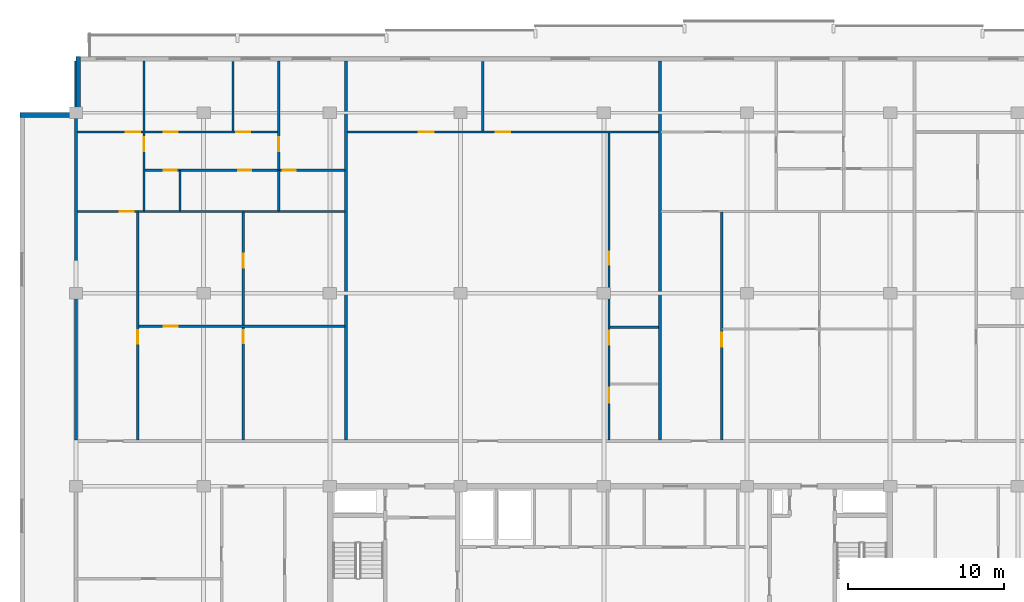
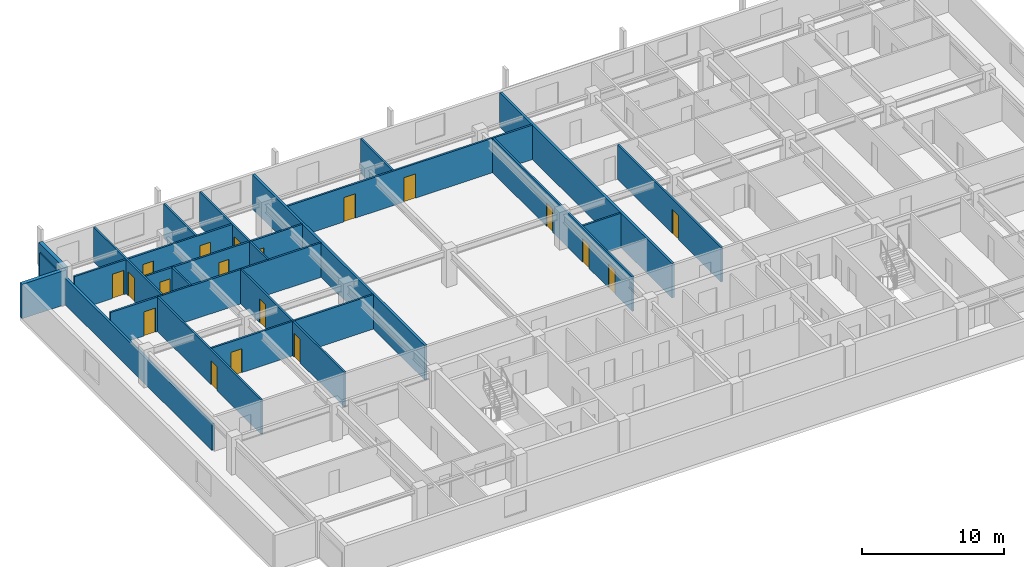
# One storey, part 7 of 11: 21 walls, 19 doors, 19 openings.
"""IFC4 building model written with IfcOpenShell, lengths in metres."""

from ifc_helpers import new_model, si_unit, direction, frame, frame_2d, origin, place, context, subcontext, project, spatial, rectangle, extrude, material, layer, layer_set, type_object, element, fill, save


model = new_model("IFC4")

# Units and contexts
model_context = context("Model", 3, precision=1e-05, world=origin(), true_north=direction((0.0, 1.0)))
body_context = subcontext(model_context, "Body", "Model", "MODEL_VIEW")
ifc_project = project(units=[si_unit("LENGTHUNIT", "METRE"), si_unit("AREAUNIT", "SQUARE_METRE"), si_unit("VOLUMEUNIT", "CUBIC_METRE"), si_unit("PLANEANGLEUNIT", "RADIAN"), si_unit("MASSUNIT", "GRAM", prefix="KILO")], contexts=[model_context])

# Site, building, storey
site_placement = place(None, origin())
site = spatial("IfcSite", under=ifc_project, at=site_placement, CompositionType="ELEMENT")
building_placement = place(site_placement, origin())
building = spatial("IfcBuilding", under=site, at=building_placement, Name="Korimba Cascade Residences", CompositionType="ELEMENT")
storey_placement = place(building_placement, frame((0.0, 0.0, 220.60009765625)))
storey = spatial("IfcBuildingStorey", under=building, at=storey_placement, Name="L64", CompositionType="ELEMENT", Elevation=220.60009765625)

# Walls
ifc_material_1 = material(Name="Precast concrete C40/50", Category="concrete")
ifc_layer_1 = layer(ifc_material_1, 0.300048828125)
ifc_layer_set_1 = layer_set([ifc_layer_1], Name="Precast concrete C40/50")
wall_type_1 = type_object("IfcWallType", Name="EW-STONE-300", PredefinedType="STANDARD", material=ifc_layer_set_1)
for number, where, z_axis, x_axis, name in (
    (1, (59.949951171875, 94.800048828125, 0.0), (0.0, 0.0, 1.0), (0.0, -1.0, 0.0), "L64 T1 Perimeter Stone Wall E07"),
    (2, (59.800048828125, 91.050048828125, 0.0), (0.0, 0.0, 1.0), (-1.0, 0.0, 0.0), "L64 T1 Perimeter Stone Wall E08"),
):
    element("IfcWall", number, at=place(storey_placement, frame(where, z_axis=z_axis, x_axis=x_axis)), inside=storey, type_object=wall_type_1, Name=name, PredefinedType="STANDARD", context=body_context, shape_type="SweptSolid", body=[
        extrude(rectangle(XDim=3.60009765625, YDim=0.300048828125, at=frame_2d((1.800048828125, 0.0))), origin(), (0.0, 0.0, 1.0), 2.969970703125),
    ])
ifc_layer_2 = layer(ifc_material_1, 0.199951171875)
ifc_layer_set_2 = layer_set([ifc_layer_2], Name="Precast concrete C40/50")
wall_type_2 = type_object("IfcWallType", Name="WAL-IT-200", PredefinedType="PARTITIONING", material=ifc_layer_set_2)
wall_1_placement = place(storey_placement, frame((59.800048828125, 70.179931640625, 0.0), z_axis=(0.0, 0.0, 1.0), x_axis=(0.0, 1.0, 0.0)))
element("IfcWall", 3, at=wall_1_placement, inside=storey, type_object=wall_type_2, Name="L64 Partition Wall WAL-L64-T1-BNDWL", PredefinedType="PARTITIONING", context=body_context, shape_type="SweptSolid", body=[
    extrude(rectangle(XDim=24.320068359375, YDim=0.199951171875, at=frame_2d((12.16015625, 0.0))), origin(), (0.0, 0.0, 1.0), 2.277099609375),
])
for number, where, z_axis, x_axis, name in (
    (4, (77.145751953125, 70.179931640625, 0.0), (0.0, 0.0, 1.0), (0.0, 1.0, 0.0), "L64 Partition Wall WAL-L64-T1-DEM-1"),
    (5, (97.3046875, 70.179931640625, 0.0), (0.0, 0.0, 1.0), (0.0, 1.0, 0.0), "L64 Partition Wall WAL-L64-T1-DEM-2"),
):
    element("IfcWall", number, at=place(storey_placement, frame(where, z_axis=z_axis, x_axis=x_axis)), inside=storey, type_object=wall_type_2, Name=name, PredefinedType="PARTITIONING", context=body_context, shape_type="SweptSolid", body=[
        extrude(rectangle(XDim=24.320068359375, YDim=0.199951171875, at=frame_2d((12.16015625, 0.0))), origin(), (0.0, 0.0, 1.0), 2.969970703125),
    ])

# Wall, openings, doors
ifc_material_2 = material(Name="Insulated Acoustic Stud Partition", Category="gypsum")
ifc_layer_3 = layer(ifc_material_2, 0.14990234375)
ifc_layer_set_3 = layer_set([ifc_layer_3], Name="Insulated Acoustic Stud Partition")
wall_type_3 = type_object("IfcWallType", Name="WAL-PART-150", PredefinedType="PARTITIONING", material=ifc_layer_set_3)
wall_2_placement = place(storey_placement, frame((70.5478515625, 70.159912109375, 0.0), z_axis=(0.0, 0.0, 1.0), x_axis=(0.0, 1.0, 0.0)))
wall_2 = element("IfcWall", 6, at=wall_2_placement, inside=storey, type_object=wall_type_3, Name="L64 Partition Wall WAL-L64-T1-U01-FMV", PredefinedType="PARTITIONING", context=body_context, shape_type="SweptSolid", body=[
    extrude(rectangle(XDim=14.650146484375, YDim=0.14990234375, at=frame_2d((7.3251953125, 0.0))), origin(), (0.0, 0.0, 1.0), 2.969970703125),
])
opening_1_placement = place(wall_2_placement, frame((6.235107421875, 0.0, 0.0)))
opening_1 = element("IfcOpeningElement", 7, at=opening_1_placement, cuts=wall_2, Name="Opening D-BT1", PredefinedType="OPENING", context=body_context, shape_type="SweptSolid", body=[
    extrude(rectangle(XDim=0.840087890625, YDim=2.0400390625, at=frame_2d((0.419921875, 1.02001953125))), frame((0.0, 0.0849609375, 0.0), z_axis=(0.0, -1.0, 0.0), x_axis=(1.0, 0.0, 0.0)), (0.0, 0.0, 1.0), 0.169921875),
])
opening_2_placement = place(wall_2_placement, frame((11.08203125, 0.0, 0.0)))
opening_2 = element("IfcOpeningElement", 8, at=opening_2_placement, cuts=wall_2, Name="Opening D-IN2", PredefinedType="OPENING", context=body_context, shape_type="SweptSolid", body=[
    extrude(rectangle(XDim=0.8798828125, YDim=2.06005859375, at=frame_2d((0.43994140625, 1.030029296875))), frame((0.0, 0.0849609375, 0.0), z_axis=(0.0, -1.0, 0.0), x_axis=(1.0, 0.0, 0.0)), (0.0, 0.0, 1.0), 0.169921875),
])
ifc_material_3 = material(Name="Moisture-Resistant Bathroom Timber Door", Category="wood")
door_type_1 = type_object("IfcDoorType", Name="DR-INT-850", OperationType="NOTDEFINED", PredefinedType="DOOR", material=ifc_material_3)
door_1_placement = place(opening_1_placement, origin())
door_1 = element("IfcDoor", 9, at=door_1_placement, inside=storey, type_object=door_type_1, Name="L64-T1-U01 Wardrobe Door", OperationType="SINGLE_SWING_LEFT", OverallHeight=2.0400390625, OverallWidth=0.840087890625, PredefinedType="DOOR", context=body_context, shape_type="SweptSolid", body=[
    extrude(rectangle(XDim=0.840087890625, YDim=2.0400390625, at=frame_2d((0.419921875, 1.02001953125))), frame((0.0, 0.02490234375, 0.0), z_axis=(0.0, -1.0, 0.0), x_axis=(1.0, 0.0, 0.0)), (0.0, 0.0, 1.0), 0.050048828125),
])
fill(opening_1, door_1)
ifc_material_4 = material(Name="Acoustic Timber Bedroom Door", Category="wood")
door_type_2 = type_object("IfcDoorType", Name="DR-INT-880", OperationType="NOTDEFINED", PredefinedType="DOOR", material=ifc_material_4)
door_2_placement = place(opening_2_placement, origin())
door_2 = element("IfcDoor", 10, at=door_2_placement, inside=storey, type_object=door_type_2, Name="L64-T1-U01 Music Lounge Door", OperationType="SINGLE_SWING_RIGHT", OverallHeight=2.06005859375, OverallWidth=0.8798828125, PredefinedType="DOOR", context=body_context, shape_type="SweptSolid", body=[
    extrude(rectangle(XDim=0.8798828125, YDim=2.06005859375, at=frame_2d((0.43994140625, 1.030029296875))), frame((0.0, 0.02490234375, 0.0), z_axis=(0.0, -1.0, 0.0), x_axis=(1.0, 0.0, 0.0)), (0.0, 0.0, 1.0), 0.050048828125),
])
fill(opening_2, door_2)

# Wall, opening, door
wall_3_placement = place(storey_placement, frame((63.830078125, 77.485107421875, 0.0), z_axis=(0.0, 0.0, 1.0), x_axis=(1.0, 0.0, 0.0)))
wall_3 = element("IfcWall", 11, at=wall_3_placement, inside=storey, type_object=wall_type_3, Name="L64 Partition Wall WAL-L64-T1-U01-FMH", PredefinedType="PARTITIONING", context=body_context, shape_type="SweptSolid", body=[
    extrude(rectangle(XDim=13.235595703125, YDim=0.14990234375, at=frame_2d((6.61767578125, 0.0))), origin(), (0.0, 0.0, 1.0), 2.969970703125),
])
opening_3_placement = place(wall_3_placement, frame((1.6142578125, 0.0, 0.0)))
opening_3 = element("IfcOpeningElement", 12, at=opening_3_placement, cuts=wall_3, Name="Opening D-IN2", PredefinedType="OPENING", context=body_context, shape_type="SweptSolid", body=[
    extrude(rectangle(XDim=0.8798828125, YDim=2.06005859375, at=frame_2d((0.43994140625, 1.030029296875))), frame((0.0, 0.0849609375, 0.0), z_axis=(0.0, -1.0, 0.0), x_axis=(1.0, 0.0, 0.0)), (0.0, 0.0, 1.0), 0.169921875),
])
door_3_placement = place(opening_3_placement, origin())
door_3 = element("IfcDoor", 13, at=door_3_placement, inside=storey, type_object=door_type_2, Name="L64-T1-U01 Library Salon Door", OperationType="SINGLE_SWING_LEFT", OverallHeight=2.06005859375, OverallWidth=0.8798828125, PredefinedType="DOOR", context=body_context, shape_type="SweptSolid", body=[
    extrude(rectangle(XDim=0.8798828125, YDim=2.06005859375, at=frame_2d((0.43994140625, 1.030029296875))), frame((0.0, 0.02490234375, 0.0), z_axis=(0.0, -1.0, 0.0), x_axis=(1.0, 0.0, 0.0)), (0.0, 0.0, 1.0), 0.050048828125),
])
fill(opening_3, door_3)

wall_4_placement = place(storey_placement, frame((63.77001953125, 70.159912109375, 0.0), z_axis=(0.0, 0.0, 1.0), x_axis=(0.0, 1.0, 0.0)))
wall_4 = element("IfcWall", 14, at=wall_4_placement, inside=storey, type_object=wall_type_3, Name="L64 Partition Wall WAL-L64-T1-U01-FV", PredefinedType="PARTITIONING", context=body_context, shape_type="SweptSolid", body=[
    extrude(rectangle(XDim=14.650146484375, YDim=0.14990234375, at=frame_2d((7.3251953125, 0.0))), origin(), (0.0, 0.0, 1.0), 2.969970703125),
])
opening_4_placement = place(wall_4_placement, frame((6.195068359375, 0.0, 0.0)))
opening_4 = element("IfcOpeningElement", 15, at=opening_4_placement, cuts=wall_4, Name="Opening D-IN2", PredefinedType="OPENING", context=body_context, shape_type="SweptSolid", body=[
    extrude(rectangle(XDim=0.8798828125, YDim=2.06005859375, at=frame_2d((0.43994140625, 1.030029296875))), frame((0.0, 0.0849609375, 0.0), z_axis=(0.0, -1.0, 0.0), x_axis=(1.0, 0.0, 0.0)), (0.0, 0.0, 1.0), 0.169921875),
])
door_4_placement = place(opening_4_placement, origin())
door_4 = element("IfcDoor", 16, at=door_4_placement, inside=storey, type_object=door_type_2, Name="L64-T1-U01 Media Lounge Door", OperationType="SINGLE_SWING_RIGHT", OverallHeight=2.06005859375, OverallWidth=0.8798828125, PredefinedType="DOOR", context=body_context, shape_type="SweptSolid", body=[
    extrude(rectangle(XDim=0.8798828125, YDim=2.06005859375, at=frame_2d((0.43994140625, 1.030029296875))), frame((0.0, 0.02490234375, 0.0), z_axis=(0.0, -1.0, 0.0), x_axis=(1.0, 0.0, 0.0)), (0.0, 0.0, 1.0), 0.050048828125),
])
fill(opening_4, door_4)

# Walls
wall_5_placement = place(storey_placement, frame((66.47998046875, 84.889892578125, 0.0), z_axis=(0.0, 0.0, 1.0), x_axis=(0.0, 1.0, 0.0)))
element("IfcWall", 17, at=wall_5_placement, inside=storey, type_object=wall_type_3, Name="L64 Partition Wall WAL-L64-T1-U01-VDRS", PredefinedType="PARTITIONING", context=body_context, shape_type="SweptSolid", body=[
    extrude(rectangle(XDim=2.580078125, YDim=0.14990234375, at=frame_2d((1.2900390625, 0.0))), origin(), (0.0, 0.0, 1.0), 2.969970703125),
])
wall_6_placement = place(storey_placement, frame((69.8798828125, 90.030029296875, 0.0), z_axis=(0.0, 0.0, 1.0), x_axis=(0.0, 1.0, 0.0)))
element("IfcWall", 18, at=wall_6_placement, inside=storey, type_object=wall_type_3, Name="L64 Partition Wall WAL-L64-T1-U01-VSTD", PredefinedType="PARTITIONING", context=body_context, shape_type="SweptSolid", body=[
    extrude(rectangle(XDim=4.469970703125, YDim=0.14990234375, at=frame_2d((2.23486328125, 0.0))), origin(), (0.0, 0.0, 1.0), 2.969970703125),
])

# Wall, opening, door
wall_7_placement = place(storey_placement, frame((64.169921875, 84.889892578125, 0.0), z_axis=(0.0, 0.0, 1.0), x_axis=(0.0, 1.0, 0.0)))
wall_7 = element("IfcWall", 19, at=wall_7_placement, inside=storey, type_object=wall_type_3, Name="L64 Partition Wall WAL-L64-T1-U01-V1", PredefinedType="PARTITIONING", context=body_context, shape_type="SweptSolid", body=[
    extrude(rectangle(XDim=9.610107421875, YDim=0.14990234375, at=frame_2d((4.80517578125, 0.0))), origin(), (0.0, 0.0, 1.0), 2.969970703125),
])
opening_5_placement = place(wall_7_placement, frame((3.820068359375, 0.0, 0.0)))
opening_5 = element("IfcOpeningElement", 20, at=opening_5_placement, cuts=wall_7, Name="Opening D-IN1", PredefinedType="OPENING", context=body_context, shape_type="SweptSolid", body=[
    extrude(rectangle(XDim=0.919921875, YDim=2.080078125, at=frame_2d((0.4599609375, 1.0400390625))), frame((0.0, 0.0849609375, 0.0), z_axis=(0.0, -1.0, 0.0), x_axis=(1.0, 0.0, 0.0)), (0.0, 0.0, 1.0), 0.169921875),
])
ifc_material_5 = material(Name="Acoustic Timber Living Door", Category="wood")
door_type_3 = type_object("IfcDoorType", Name="DR-INT-920", OperationType="NOTDEFINED", PredefinedType="DOOR", material=ifc_material_5)
door_5_placement = place(opening_5_placement, origin())
door_5 = element("IfcDoor", 21, at=door_5_placement, inside=storey, type_object=door_type_3, Name="L64-T1-U01 Hallway Door", OperationType="SINGLE_SWING_LEFT", OverallHeight=2.080078125, OverallWidth=0.919921875, PredefinedType="DOOR", context=body_context, shape_type="SweptSolid", body=[
    extrude(rectangle(XDim=0.919921875, YDim=2.080078125, at=frame_2d((0.4599609375, 1.0400390625))), frame((0.0, 0.02490234375, 0.0), z_axis=(0.0, -1.0, 0.0), x_axis=(1.0, 0.0, 0.0)), (0.0, 0.0, 1.0), 0.050048828125),
])
fill(opening_5, door_5)

# Wall
wall_8_placement = place(storey_placement, frame((72.815673828125, 84.889892578125, 0.0), z_axis=(0.0, 0.0, 1.0), x_axis=(0.0, 1.0, 0.0)))
element("IfcWall", 22, at=wall_8_placement, inside=storey, type_object=wall_type_3, Name="L64 Partition Wall WAL-L64-T1-U01-VBATH", PredefinedType="PARTITIONING", context=body_context, shape_type="SweptSolid", body=[
    extrude(rectangle(XDim=2.580078125, YDim=0.14990234375, at=frame_2d((1.2900390625, 0.0))), origin(), (0.0, 0.0, 1.0), 2.969970703125),
])

# Wall, opening, door
wall_9_placement = place(storey_placement, frame((72.815673828125, 87.510009765625, 0.0), z_axis=(0.0, 0.0, 1.0), x_axis=(0.0, 1.0, 0.0)))
wall_9 = element("IfcWall", 23, at=wall_9_placement, inside=storey, type_object=wall_type_3, Name="L64 Partition Wall WAL-L64-T1-U01-V2FULL", PredefinedType="PARTITIONING", context=body_context, shape_type="SweptSolid", body=[
    extrude(rectangle(XDim=6.989990234375, YDim=0.14990234375, at=frame_2d((3.4951171875, 0.0))), origin(), (0.0, 0.0, 1.0), 2.969970703125),
])
opening_6_placement = place(wall_9_placement, frame((1.199951171875, 0.0, 0.0)))
opening_6 = element("IfcOpeningElement", 24, at=opening_6_placement, cuts=wall_9, Name="Opening D-IN1", PredefinedType="OPENING", context=body_context, shape_type="SweptSolid", body=[
    extrude(rectangle(XDim=0.919921875, YDim=2.080078125, at=frame_2d((0.4599609375, 1.0400390625))), frame((0.0, 0.0849609375, 0.0), z_axis=(0.0, -1.0, 0.0), x_axis=(1.0, 0.0, 0.0)), (0.0, 0.0, 1.0), 0.169921875),
])
door_6_placement = place(opening_6_placement, origin())
door_6 = element("IfcDoor", 25, at=door_6_placement, inside=storey, type_object=door_type_3, Name="L64-T1-U01 Master Bedroom Door", OperationType="SINGLE_SWING_RIGHT", OverallHeight=2.080078125, OverallWidth=0.919921875, PredefinedType="DOOR", context=body_context, shape_type="SweptSolid", body=[
    extrude(rectangle(XDim=0.919921875, YDim=2.080078125, at=frame_2d((0.4599609375, 1.0400390625))), frame((0.0, 0.02490234375, 0.0), z_axis=(0.0, -1.0, 0.0), x_axis=(1.0, 0.0, 0.0)), (0.0, 0.0, 1.0), 0.050048828125),
])
fill(opening_6, door_6)

# Wall, openings, doors
wall_10_placement = place(storey_placement, frame((64.2099609375, 87.489990234375, 0.0), z_axis=(0.0, 0.0, 1.0), x_axis=(1.0, 0.0, 0.0)))
wall_10 = element("IfcWall", 26, at=wall_10_placement, inside=storey, type_object=wall_type_3, Name="L64 Partition Wall WAL-L64-T1-U01-HWALL", PredefinedType="PARTITIONING", context=body_context, shape_type="SweptSolid", body=[
    extrude(rectangle(XDim=12.855712890625, YDim=0.14990234375, at=frame_2d((6.427734375, 0.0))), origin(), (0.0, 0.0, 1.0), 2.969970703125),
])
opening_7_placement = place(wall_10_placement, frame((1.2099609375, 0.0, 0.0)))
opening_7 = element("IfcOpeningElement", 27, at=opening_7_placement, cuts=wall_10, Name="Opening D-BT1", PredefinedType="OPENING", context=body_context, shape_type="SweptSolid", body=[
    extrude(rectangle(XDim=0.840087890625, YDim=2.0400390625, at=frame_2d((0.419921875, 1.02001953125))), frame((0.0, 0.0849609375, 0.0), z_axis=(0.0, -1.0, 0.0), x_axis=(1.0, 0.0, 0.0)), (0.0, 0.0, 1.0), 0.169921875),
])
opening_8_placement = place(wall_10_placement, frame((6.0078125, 0.0, 0.0)))
opening_8 = element("IfcOpeningElement", 28, at=opening_8_placement, cuts=wall_10, Name="Opening D-BT1", PredefinedType="OPENING", context=body_context, shape_type="SweptSolid", body=[
    extrude(rectangle(XDim=0.840087890625, YDim=2.0400390625, at=frame_2d((0.419921875, 1.02001953125))), frame((0.0, 0.0849609375, 0.0), z_axis=(0.0, -1.0, 0.0), x_axis=(1.0, 0.0, 0.0)), (0.0, 0.0, 1.0), 0.169921875),
])
opening_9_placement = place(wall_10_placement, frame((8.855712890625, 0.0, 0.0)))
opening_9 = element("IfcOpeningElement", 29, at=opening_9_placement, cuts=wall_10, Name="Opening D-BT1", PredefinedType="OPENING", context=body_context, shape_type="SweptSolid", body=[
    extrude(rectangle(XDim=0.840087890625, YDim=2.0400390625, at=frame_2d((0.419921875, 1.02001953125))), frame((0.0, 0.0849609375, 0.0), z_axis=(0.0, -1.0, 0.0), x_axis=(1.0, 0.0, 0.0)), (0.0, 0.0, 1.0), 0.169921875),
])
door_7_placement = place(opening_7_placement, origin())
door_7 = element("IfcDoor", 30, at=door_7_placement, inside=storey, type_object=door_type_1, Name="L64-T1-U01 Family Bathroom Door", OperationType="SINGLE_SWING_LEFT", OverallHeight=2.0400390625, OverallWidth=0.840087890625, PredefinedType="DOOR", context=body_context, shape_type="SweptSolid", body=[
    extrude(rectangle(XDim=0.840087890625, YDim=2.0400390625, at=frame_2d((0.419921875, 1.02001953125))), frame((0.0, 0.02490234375, 0.0), z_axis=(0.0, -1.0, 0.0), x_axis=(1.0, 0.0, 0.0)), (0.0, 0.0, 1.0), 0.050048828125),
])
fill(opening_7, door_7)
door_8_placement = place(opening_8_placement, origin())
door_8 = element("IfcDoor", 31, at=door_8_placement, inside=storey, type_object=door_type_1, Name="L64-T1-U01 Dressing Room Door", OperationType="SINGLE_SWING_RIGHT", OverallHeight=2.0400390625, OverallWidth=0.840087890625, PredefinedType="DOOR", context=body_context, shape_type="SweptSolid", body=[
    extrude(rectangle(XDim=0.840087890625, YDim=2.0400390625, at=frame_2d((0.419921875, 1.02001953125))), frame((0.0, 0.02490234375, 0.0), z_axis=(0.0, -1.0, 0.0), x_axis=(1.0, 0.0, 0.0)), (0.0, 0.0, 1.0), 0.050048828125),
])
fill(opening_8, door_8)
door_9_placement = place(opening_9_placement, origin())
door_9 = element("IfcDoor", 32, at=door_9_placement, inside=storey, type_object=door_type_1, Name="L64-T1-U01 En-Suite Door", OperationType="SINGLE_SWING_LEFT", OverallHeight=2.0400390625, OverallWidth=0.840087890625, PredefinedType="DOOR", context=body_context, shape_type="SweptSolid", body=[
    extrude(rectangle(XDim=0.840087890625, YDim=2.0400390625, at=frame_2d((0.419921875, 1.02001953125))), frame((0.0, 0.02490234375, 0.0), z_axis=(0.0, -1.0, 0.0), x_axis=(1.0, 0.0, 0.0)), (0.0, 0.0, 1.0), 0.050048828125),
])
fill(opening_9, door_9)

# Wall, opening, door
wall_11_placement = place(storey_placement, frame((59.8798828125, 84.85009765625, 0.0), z_axis=(0.0, 0.0, 1.0), x_axis=(1.0, 0.0, 0.0)))
wall_11 = element("IfcWall", 33, at=wall_11_placement, inside=storey, type_object=wall_type_3, Name="L64 Partition Wall WAL-L64-T1-U01-MW", PredefinedType="PARTITIONING", context=body_context, shape_type="SweptSolid", body=[
    extrude(rectangle(XDim=17.185791015625, YDim=0.14990234375, at=frame_2d((8.5927734375, 0.0))), origin(), (0.0, 0.0, 1.0), 2.969970703125),
])
opening_10_placement = place(wall_11_placement, frame((2.719970703125, 0.0, 0.0)))
opening_10 = element("IfcOpeningElement", 34, at=opening_10_placement, cuts=wall_11, Name="Opening D-IN1", PredefinedType="OPENING", context=body_context, shape_type="SweptSolid", body=[
    extrude(rectangle(XDim=0.919921875, YDim=2.080078125, at=frame_2d((0.4599609375, 1.0400390625))), frame((0.0, 0.0849609375, 0.0), z_axis=(0.0, -1.0, 0.0), x_axis=(1.0, 0.0, 0.0)), (0.0, 0.0, 1.0), 0.169921875),
])
door_10_placement = place(opening_10_placement, origin())
door_10 = element("IfcDoor", 35, at=door_10_placement, inside=storey, type_object=door_type_3, Name="L64-T1-U01 Kitchen Door", OperationType="SINGLE_SWING_RIGHT", OverallHeight=2.080078125, OverallWidth=0.919921875, PredefinedType="DOOR", context=body_context, shape_type="SweptSolid", body=[
    extrude(rectangle(XDim=0.919921875, YDim=2.080078125, at=frame_2d((0.4599609375, 1.0400390625))), frame((0.0, 0.02490234375, 0.0), z_axis=(0.0, -1.0, 0.0), x_axis=(1.0, 0.0, 0.0)), (0.0, 0.0, 1.0), 0.050048828125),
])
fill(opening_10, door_10)

# Wall, openings, doors
wall_12_placement = place(storey_placement, frame((59.8798828125, 89.949951171875, 0.0), z_axis=(0.0, 0.0, 1.0), x_axis=(1.0, 0.0, 0.0)))
wall_12 = element("IfcWall", 36, at=wall_12_placement, inside=storey, type_object=wall_type_3, Name="L64 Partition Wall WAL-L64-T1-U01-HZ", PredefinedType="PARTITIONING", context=body_context, shape_type="SweptSolid", body=[
    extrude(rectangle(XDim=12.935791015625, YDim=0.14990234375, at=frame_2d((6.4677734375, 0.0))), origin(), (0.0, 0.0, 1.0), 2.969970703125),
])
opening_11_placement = place(wall_12_placement, frame((3.10009765625, 0.0, 0.0)))
opening_11 = element("IfcOpeningElement", 37, at=opening_11_placement, cuts=wall_12, Name="Opening D-IN0", PredefinedType="OPENING", context=body_context, shape_type="SweptSolid", body=[
    extrude(rectangle(XDim=0.93994140625, YDim=2.10009765625, at=frame_2d((0.469970703125, 1.050048828125))), frame((0.0, 0.0849609375, 0.0), z_axis=(0.0, -1.0, 0.0), x_axis=(1.0, 0.0, 0.0)), (0.0, 0.0, 1.0), 0.169921875),
])
opening_12_placement = place(wall_12_placement, frame((5.563720703125, 0.0, 0.0)))
opening_12 = element("IfcOpeningElement", 38, at=opening_12_placement, cuts=wall_12, Name="Opening D-IN2", PredefinedType="OPENING", context=body_context, shape_type="SweptSolid", body=[
    extrude(rectangle(XDim=0.8798828125, YDim=2.06005859375, at=frame_2d((0.43994140625, 1.030029296875))), frame((0.0, 0.0849609375, 0.0), z_axis=(0.0, -1.0, 0.0), x_axis=(1.0, 0.0, 0.0)), (0.0, 0.0, 1.0), 0.169921875),
])
opening_13_placement = place(wall_12_placement, frame((10.219970703125, 0.0, 0.0)))
opening_13 = element("IfcOpeningElement", 39, at=opening_13_placement, cuts=wall_12, Name="Opening D-IN2", PredefinedType="OPENING", context=body_context, shape_type="SweptSolid", body=[
    extrude(rectangle(XDim=0.8798828125, YDim=2.06005859375, at=frame_2d((0.43994140625, 1.030029296875))), frame((0.0, 0.0849609375, 0.0), z_axis=(0.0, -1.0, 0.0), x_axis=(1.0, 0.0, 0.0)), (0.0, 0.0, 1.0), 0.169921875),
])
door_11_placement = place(opening_12_placement, origin())
door_11 = element("IfcDoor", 40, at=door_11_placement, inside=storey, type_object=door_type_2, Name="L64-T1-U01 Bedroom 2 Door", OperationType="SINGLE_SWING_RIGHT", OverallHeight=2.06005859375, OverallWidth=0.8798828125, PredefinedType="DOOR", context=body_context, shape_type="SweptSolid", body=[
    extrude(rectangle(XDim=0.8798828125, YDim=2.06005859375, at=frame_2d((0.43994140625, 1.030029296875))), frame((0.0, 0.02490234375, 0.0), z_axis=(0.0, -1.0, 0.0), x_axis=(1.0, 0.0, 0.0)), (0.0, 0.0, 1.0), 0.050048828125),
])
fill(opening_12, door_11)
door_12_placement = place(opening_13_placement, origin())
door_12 = element("IfcDoor", 41, at=door_12_placement, inside=storey, type_object=door_type_2, Name="L64-T1-U01 Study Door", OperationType="SINGLE_SWING_LEFT", OverallHeight=2.06005859375, OverallWidth=0.8798828125, PredefinedType="DOOR", context=body_context, shape_type="SweptSolid", body=[
    extrude(rectangle(XDim=0.8798828125, YDim=2.06005859375, at=frame_2d((0.43994140625, 1.030029296875))), frame((0.0, 0.02490234375, 0.0), z_axis=(0.0, -1.0, 0.0), x_axis=(1.0, 0.0, 0.0)), (0.0, 0.0, 1.0), 0.050048828125),
])
fill(opening_13, door_12)
ifc_material_6 = material(Name="Acoustic Timber Living Archway Door", Category="wood")
door_type_4 = type_object("IfcDoorType", Name="DR-INT-950", OperationType="NOTDEFINED", PredefinedType="DOOR", material=ifc_material_6)
door_13_placement = place(opening_11_placement, origin())
door_13 = element("IfcDoor", 42, at=door_13_placement, inside=storey, type_object=door_type_4, Name="L64-T1-U01 Living Room Door", OperationType="SINGLE_SWING_LEFT", OverallHeight=2.10009765625, OverallWidth=0.93994140625, PredefinedType="DOOR", context=body_context, shape_type="SweptSolid", body=[
    extrude(rectangle(XDim=0.93994140625, YDim=2.10009765625, at=frame_2d((0.469970703125, 1.050048828125))), frame((0.0, 0.02490234375, 0.0), z_axis=(0.0, -1.0, 0.0), x_axis=(1.0, 0.0, 0.0)), (0.0, 0.0, 1.0), 0.050048828125),
])
fill(opening_11, door_13)

# Wall
wall_13_placement = place(storey_placement, frame((94.0947265625, 77.419921875, 0.0), z_axis=(0.0, 0.0, 1.0), x_axis=(1.0, 0.0, 0.0)))
element("IfcWall", 43, at=wall_13_placement, inside=storey, type_object=wall_type_3, Name="L64 Partition Wall WAL-L64-T1-U02-WCH2", PredefinedType="PARTITIONING", context=body_context, shape_type="SweptSolid", body=[
    extrude(rectangle(XDim=3.130126953125, YDim=0.14990234375, at=frame_2d((1.56494140625, 0.0))), origin(), (0.0, 0.0, 1.0), 2.969970703125),
])

# Wall, openings, doors
wall_14_placement = place(storey_placement, frame((94.034912109375, 70.159912109375, 0.0), z_axis=(0.0, 0.0, 1.0), x_axis=(0.0, 1.0, 0.0)))
wall_14 = element("IfcWall", 44, at=wall_14_placement, inside=storey, type_object=wall_type_3, Name="L64 Partition Wall WAL-L64-T1-U02-WCV", PredefinedType="PARTITIONING", context=body_context, shape_type="SweptSolid", body=[
    extrude(rectangle(XDim=19.72998046875, YDim=0.14990234375, at=frame_2d((9.864990234375, 0.0))), origin(), (0.0, 0.0, 1.0), 2.969970703125),
])
opening_14_placement = place(wall_14_placement, frame((2.406005859375, 0.0, 0.0)))
opening_14 = element("IfcOpeningElement", 45, at=opening_14_placement, cuts=wall_14, Name="Opening D-AC1", PredefinedType="OPENING", context=body_context, shape_type="SweptSolid", body=[
    extrude(rectangle(XDim=0.9599609375, YDim=2.10009765625, at=frame_2d((0.47998046875, 1.050048828125))), frame((0.0, 0.0849609375, 0.0), z_axis=(0.0, -1.0, 0.0), x_axis=(1.0, 0.0, 0.0)), (0.0, 0.0, 1.0), 0.169921875),
])
opening_15_placement = place(wall_14_placement, frame((6.132568359375, 0.0, 0.0)))
opening_15 = element("IfcOpeningElement", 46, at=opening_15_placement, cuts=wall_14, Name="Opening D-IN2", PredefinedType="OPENING", context=body_context, shape_type="SweptSolid", body=[
    extrude(rectangle(XDim=0.8798828125, YDim=2.06005859375, at=frame_2d((0.43994140625, 1.030029296875))), frame((0.0, 0.0849609375, 0.0), z_axis=(0.0, -1.0, 0.0), x_axis=(1.0, 0.0, 0.0)), (0.0, 0.0, 1.0), 0.169921875),
])
opening_16_placement = place(wall_14_placement, frame((11.2578125, 0.0, 0.0)))
opening_16 = element("IfcOpeningElement", 47, at=opening_16_placement, cuts=wall_14, Name="Opening D-BT1", PredefinedType="OPENING", context=body_context, shape_type="SweptSolid", body=[
    extrude(rectangle(XDim=0.840087890625, YDim=2.0400390625, at=frame_2d((0.419921875, 1.02001953125))), frame((0.0, 0.0849609375, 0.0), z_axis=(0.0, -1.0, 0.0), x_axis=(1.0, 0.0, 0.0)), (0.0, 0.0, 1.0), 0.169921875),
])
ifc_material_7 = material(Name="Accessible Acoustic Timber WC Door", Category="wood")
door_type_5 = type_object("IfcDoorType", Name="DR-ACC-950", OperationType="NOTDEFINED", PredefinedType="DOOR", material=ifc_material_7)
door_14_placement = place(opening_14_placement, origin())
door_14 = element("IfcDoor", 48, at=door_14_placement, inside=storey, type_object=door_type_5, Name="L64-T1-U02 Accessible WC Door", OperationType="SINGLE_SWING_RIGHT", OverallHeight=2.10009765625, OverallWidth=0.9599609375, PredefinedType="DOOR", context=body_context, shape_type="SweptSolid", body=[
    extrude(rectangle(XDim=0.9599609375, YDim=2.10009765625, at=frame_2d((0.47998046875, 1.050048828125))), frame((0.0, 0.02490234375, 0.0), z_axis=(0.0, -1.0, 0.0), x_axis=(1.0, 0.0, 0.0)), (0.0, 0.0, 1.0), 0.050048828125),
])
fill(opening_14, door_14)
door_15_placement = place(opening_16_placement, origin())
door_15 = element("IfcDoor", 49, at=door_15_placement, inside=storey, type_object=door_type_1, Name="L64-T1-U02 Suite Store Door", OperationType="SINGLE_SWING_RIGHT", OverallHeight=2.0400390625, OverallWidth=0.840087890625, PredefinedType="DOOR", context=body_context, shape_type="SweptSolid", body=[
    extrude(rectangle(XDim=0.840087890625, YDim=2.0400390625, at=frame_2d((0.419921875, 1.02001953125))), frame((0.0, 0.02490234375, 0.0), z_axis=(0.0, -1.0, 0.0), x_axis=(1.0, 0.0, 0.0)), (0.0, 0.0, 1.0), 0.050048828125),
])
fill(opening_16, door_15)
door_16_placement = place(opening_15_placement, origin())
door_16 = element("IfcDoor", 50, at=door_16_placement, inside=storey, type_object=door_type_2, Name="L64-T1-U02 Restroom WC Door", OperationType="SINGLE_SWING_LEFT", OverallHeight=2.06005859375, OverallWidth=0.8798828125, PredefinedType="DOOR", context=body_context, shape_type="SweptSolid", body=[
    extrude(rectangle(XDim=0.8798828125, YDim=2.06005859375, at=frame_2d((0.43994140625, 1.030029296875))), frame((0.0, 0.02490234375, 0.0), z_axis=(0.0, -1.0, 0.0), x_axis=(1.0, 0.0, 0.0)), (0.0, 0.0, 1.0), 0.050048828125),
])
fill(opening_15, door_16)

# Wall
wall_15_placement = place(storey_placement, frame((85.920166015625, 90.030029296875, 0.0), z_axis=(0.0, 0.0, 1.0), x_axis=(0.0, 1.0, 0.0)))
element("IfcWall", 51, at=wall_15_placement, inside=storey, type_object=wall_type_3, Name="L64 Partition Wall WAL-L64-T1-U02-OUTV", PredefinedType="PARTITIONING", context=body_context, shape_type="SweptSolid", body=[
    extrude(rectangle(XDim=4.469970703125, YDim=0.14990234375, at=frame_2d((2.23486328125, 0.0))), origin(), (0.0, 0.0, 1.0), 2.969970703125),
])

# Wall, openings, doors
wall_16_placement = place(storey_placement, frame((77.2255859375, 89.949951171875, 0.0), z_axis=(0.0, 0.0, 1.0), x_axis=(1.0, 0.0, 0.0)))
wall_16 = element("IfcWall", 52, at=wall_16_placement, inside=storey, type_object=wall_type_3, Name="L64 Partition Wall WAL-L64-T1-U02-HZ", PredefinedType="PARTITIONING", context=body_context, shape_type="SweptSolid", body=[
    extrude(rectangle(XDim=19.999267578125, YDim=0.14990234375, at=frame_2d((9.99951171875, 0.0))), origin(), (0.0, 0.0, 1.0), 2.969970703125),
])
opening_17_placement = place(wall_16_placement, frame((4.602783203125, 0.0, 0.0)))
opening_17 = element("IfcOpeningElement", 53, at=opening_17_placement, cuts=wall_16, Name="Opening D-IN0", PredefinedType="OPENING", context=body_context, shape_type="SweptSolid", body=[
    extrude(rectangle(XDim=0.93994140625, YDim=2.10009765625, at=frame_2d((0.469970703125, 1.050048828125))), frame((0.0, 0.0849609375, 0.0), z_axis=(0.0, -1.0, 0.0), x_axis=(1.0, 0.0, 0.0)), (0.0, 0.0, 1.0), 0.169921875),
])
opening_18_placement = place(wall_16_placement, frame((9.529541015625, 0.0, 0.0)))
opening_18 = element("IfcOpeningElement", 54, at=opening_18_placement, cuts=wall_16, Name="Opening D-IN0", PredefinedType="OPENING", context=body_context, shape_type="SweptSolid", body=[
    extrude(rectangle(XDim=0.93994140625, YDim=2.10009765625, at=frame_2d((0.469970703125, 1.050048828125))), frame((0.0, 0.0849609375, 0.0), z_axis=(0.0, -1.0, 0.0), x_axis=(1.0, 0.0, 0.0)), (0.0, 0.0, 1.0), 0.169921875),
])
door_17_placement = place(opening_17_placement, origin())
door_17 = element("IfcDoor", 55, at=door_17_placement, inside=storey, type_object=door_type_4, Name="L64-T1-U02 Executive Co-Working Office Door", OperationType="SINGLE_SWING_LEFT", OverallHeight=2.10009765625, OverallWidth=0.93994140625, PredefinedType="DOOR", context=body_context, shape_type="SweptSolid", body=[
    extrude(rectangle(XDim=0.93994140625, YDim=2.10009765625, at=frame_2d((0.469970703125, 1.050048828125))), frame((0.0, 0.02490234375, 0.0), z_axis=(0.0, -1.0, 0.0), x_axis=(1.0, 0.0, 0.0)), (0.0, 0.0, 1.0), 0.050048828125),
])
fill(opening_17, door_17)
door_18_placement = place(opening_18_placement, origin())
door_18 = element("IfcDoor", 56, at=door_18_placement, inside=storey, type_object=door_type_4, Name="L64-T1-U02 Focus Workstation Office Door", OperationType="SINGLE_SWING_RIGHT", OverallHeight=2.10009765625, OverallWidth=0.93994140625, PredefinedType="DOOR", context=body_context, shape_type="SweptSolid", body=[
    extrude(rectangle(XDim=0.93994140625, YDim=2.10009765625, at=frame_2d((0.469970703125, 1.050048828125))), frame((0.0, 0.02490234375, 0.0), z_axis=(0.0, -1.0, 0.0), x_axis=(1.0, 0.0, 0.0)), (0.0, 0.0, 1.0), 0.050048828125),
])
fill(opening_18, door_18)

# Wall, opening, door
wall_17_placement = place(storey_placement, frame((101.27490234375, 70.159912109375, 0.0), z_axis=(0.0, 0.0, 1.0), x_axis=(0.0, 1.0, 0.0)))
wall_17 = element("IfcWall", 57, at=wall_17_placement, inside=storey, type_object=wall_type_3, Name="L64 Partition Wall WAL-L64-T1-U03-FV", PredefinedType="PARTITIONING", context=body_context, shape_type="SweptSolid", body=[
    extrude(rectangle(XDim=14.650146484375, YDim=0.14990234375, at=frame_2d((7.3251953125, 0.0))), origin(), (0.0, 0.0, 1.0), 2.969970703125),
])
opening_19_placement = place(wall_17_placement, frame((6.014892578125, 0.0, 0.0)))
opening_19 = element("IfcOpeningElement", 58, at=opening_19_placement, cuts=wall_17, Name="Opening D-IN2", PredefinedType="OPENING", context=body_context, shape_type="SweptSolid", body=[
    extrude(rectangle(XDim=0.8798828125, YDim=2.06005859375, at=frame_2d((0.43994140625, 1.030029296875))), frame((0.0, 0.0849609375, 0.0), z_axis=(0.0, -1.0, 0.0), x_axis=(1.0, 0.0, 0.0)), (0.0, 0.0, 1.0), 0.169921875),
])
door_19_placement = place(opening_19_placement, origin())
door_19 = element("IfcDoor", 59, at=door_19_placement, inside=storey, type_object=door_type_2, Name="L64-T1-U03 Media Lounge Door", OperationType="SINGLE_SWING_RIGHT", OverallHeight=2.06005859375, OverallWidth=0.8798828125, PredefinedType="DOOR", context=body_context, shape_type="SweptSolid", body=[
    extrude(rectangle(XDim=0.8798828125, YDim=2.06005859375, at=frame_2d((0.43994140625, 1.030029296875))), frame((0.0, 0.02490234375, 0.0), z_axis=(0.0, -1.0, 0.0), x_axis=(1.0, 0.0, 0.0)), (0.0, 0.0, 1.0), 0.050048828125),
])
fill(opening_19, door_19)

save(model, "model.ifc")
